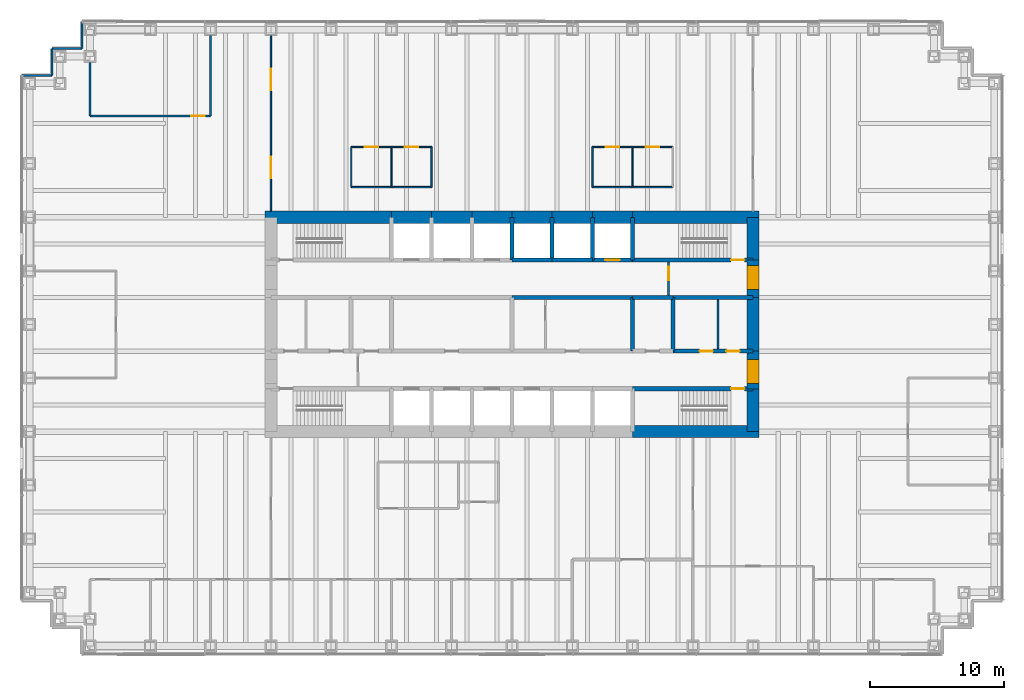
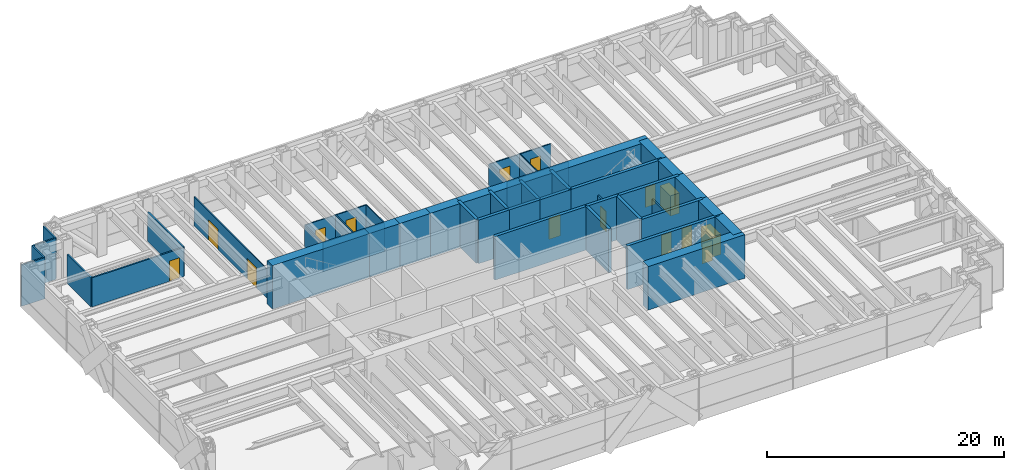
# One storey, part 11 of 13: 48 walls, 15 doors, 15 openings.
"""IFC4 building model written with IfcOpenShell, lengths in metres."""

from ifc_helpers import new_model, si_unit, direction, frame, frame_2d, origin, place, context, subcontext, project, spatial, rectangle, extrude, material, layer, layer_set, type_object, element, fill, save


model = new_model("IFC4")

# Units and contexts
model_context = context("Model", 3, precision=1e-05, world=origin(), true_north=direction((0.0, 1.0)))
body_context = subcontext(model_context, "Body", "Model", "MODEL_VIEW")
ifc_project = project(units=[si_unit("LENGTHUNIT", "METRE"), si_unit("AREAUNIT", "SQUARE_METRE"), si_unit("VOLUMEUNIT", "CUBIC_METRE"), si_unit("PLANEANGLEUNIT", "RADIAN"), si_unit("MASSUNIT", "GRAM", prefix="KILO")], contexts=[model_context])

# Site, building, storey
site_placement = place(None, origin())
site = spatial("IfcSite", under=ifc_project, at=site_placement, CompositionType="ELEMENT")
building_placement = place(site_placement, origin())
building = spatial("IfcBuilding", under=site, at=building_placement, Name="Rheinbord Bourse Tower", CompositionType="ELEMENT")
storey_placement = place(building_placement, frame((0.0, 0.0, 90.5)))
storey = spatial("IfcBuildingStorey", under=building, at=storey_placement, Name="L19", CompositionType="ELEMENT", Elevation=90.5)

# Wall, opening, door
ifc_material_1 = material(Name="Concrete C50/60", Category="concrete")
ifc_layer_1 = layer(ifc_material_1, 0.300048828125)
ifc_layer_set_1 = layer_set([ifc_layer_1], Name="CORE INNER WALL 300")
wall_type_1 = type_object("IfcWallType", Name="CORE INNER WALL 300", PredefinedType="SOLIDWALL", material=ifc_layer_set_1)
wall_1_placement = place(storey_placement, frame((45.0, 19.199951171875, 0.0), z_axis=(0.0, 0.0, 1.0), x_axis=(1.0, 0.0, 0.0)))
wall_1 = element("IfcWall", 1, at=wall_1_placement, inside=storey, type_object=wall_type_1, Name="Core wall A8 L19", PredefinedType="SOLIDWALL", context=body_context, shape_type="SweptSolid", body=[
    extrude(rectangle(XDim=9.0, YDim=0.300048828125, at=frame_2d((4.5, 0.0))), origin(), (0.0, 0.0, 1.0), 4.5),
])
opening_1_placement = place(wall_1_placement, frame((7.35009765625, 0.0, 0.0)))
opening_1 = element("IfcOpeningElement", 2, at=opening_1_placement, cuts=wall_1, Name="Opening 1930", PredefinedType="OPENING", context=body_context, shape_type="SweptSolid", body=[
    extrude(rectangle(XDim=1.0, YDim=2.10009765625, at=frame_2d((0.5, 1.050048828125))), frame((0.0, 0.159912109375, 0.0), z_axis=(0.0, -1.0, 0.0), x_axis=(1.0, 0.0, 0.0)), (0.0, 0.0, 1.0), 0.320068359375),
])
ifc_material_2 = material(Name="Steel door", Category="steel")
door_type_1 = type_object("IfcDoorType", Name="DOOR 1000 EI30", OperationType="SINGLE_SWING_LEFT", PredefinedType="DOOR", material=ifc_material_2)
door_1_placement = place(opening_1_placement, origin())
door_1 = element("IfcDoor", 3, at=door_1_placement, inside=storey, type_object=door_type_1, Name="Stair door ST3 L19", OperationType="SINGLE_SWING_RIGHT", OverallHeight=2.10009765625, OverallWidth=1.0, PredefinedType="DOOR", context=body_context, shape_type="SweptSolid", body=[
    extrude(rectangle(XDim=1.0, YDim=2.10009765625, at=frame_2d((0.5, 1.050048828125))), frame((0.0, 0.02490234375, 0.0), z_axis=(0.0, -1.0, 0.0), x_axis=(1.0, 0.0, 0.0)), (0.0, 0.0, 1.0), 0.050048828125),
])
fill(opening_1, door_1)

# Walls
for number, where, z_axis, x_axis, name in (
    (4, (36.0, 28.800048828125, 0.0), (0.0, 0.0, 1.0), (1.0, 0.0, 0.0), "Core wall B5 L19"),
    (5, (39.0, 28.800048828125, 0.0), (0.0, 0.0, 1.0), (1.0, 0.0, 0.0), "Core wall B6 L19"),
):
    element("IfcWall", number, at=place(storey_placement, frame(where, z_axis=z_axis, x_axis=x_axis)), inside=storey, type_object=wall_type_1, Name=name, PredefinedType="SOLIDWALL", context=body_context, shape_type="SweptSolid", body=[
        extrude(rectangle(XDim=3.0, YDim=0.300048828125, at=frame_2d((1.5, 0.0))), origin(), (0.0, 0.0, 1.0), 4.5),
    ])

# Wall, opening, door
wall_2_placement = place(storey_placement, frame((42.0, 28.800048828125, 0.0), z_axis=(0.0, 0.0, 1.0), x_axis=(1.0, 0.0, 0.0)))
wall_2 = element("IfcWall", 6, at=wall_2_placement, inside=storey, type_object=wall_type_1, Name="Core wall B7 L19", PredefinedType="SOLIDWALL", context=body_context, shape_type="SweptSolid", body=[
    extrude(rectangle(XDim=3.0, YDim=0.300048828125, at=frame_2d((1.5, 0.0))), origin(), (0.0, 0.0, 1.0), 4.5),
])
opening_2_placement = place(wall_2_placement, frame((0.949951171875, 0.0, 0.0)))
opening_2 = element("IfcOpeningElement", 7, at=opening_2_placement, cuts=wall_2, Name="Opening FL2", PredefinedType="OPENING", context=body_context, shape_type="SweptSolid", body=[
    extrude(rectangle(XDim=1.10009765625, YDim=2.199951171875, at=frame_2d((0.550048828125, 1.10009765625))), frame((0.0, 0.159912109375, 0.0), z_axis=(0.0, -1.0, 0.0), x_axis=(1.0, 0.0, 0.0)), (0.0, 0.0, 1.0), 0.320068359375),
])
ifc_material_3 = material(Name="Steel landing door", Category="steel")
door_type_2 = type_object("IfcDoorType", Name="LIFT LANDING DOOR 1100", OperationType="DOUBLE_DOOR_SLIDING", PredefinedType="USERDEFINED", material=ifc_material_3)
door_2_placement = place(opening_2_placement, origin())
door_2 = element("IfcDoor", 8, at=door_2_placement, inside=storey, type_object=door_type_2, Name="Lift landing door FL2 L19", ObjectType="LIFT LANDING DOOR", OperationType="DOUBLE_DOOR_SLIDING", OverallHeight=2.199951171875, OverallWidth=1.10009765625, PredefinedType="USERDEFINED", context=body_context, shape_type="SweptSolid", body=[
    extrude(rectangle(XDim=1.10009765625, YDim=2.199951171875, at=frame_2d((0.550048828125, 1.10009765625))), frame((0.0, 0.02490234375, 0.0), z_axis=(0.0, -1.0, 0.0), x_axis=(1.0, 0.0, 0.0)), (0.0, 0.0, 1.0), 0.050048828125),
])
fill(opening_2, door_2)

wall_3_placement = place(storey_placement, frame((45.0, 28.800048828125, 0.0), z_axis=(0.0, 0.0, 1.0), x_axis=(1.0, 0.0, 0.0)))
wall_3 = element("IfcWall", 9, at=wall_3_placement, inside=storey, type_object=wall_type_1, Name="Core wall B8 L19", PredefinedType="SOLIDWALL", context=body_context, shape_type="SweptSolid", body=[
    extrude(rectangle(XDim=9.0, YDim=0.300048828125, at=frame_2d((4.5, 0.0))), origin(), (0.0, 0.0, 1.0), 4.5),
])
opening_3_placement = place(wall_3_placement, frame((7.35009765625, 0.0, 0.0)))
opening_3 = element("IfcOpeningElement", 10, at=opening_3_placement, cuts=wall_3, Name="Opening 1940", PredefinedType="OPENING", context=body_context, shape_type="SweptSolid", body=[
    extrude(rectangle(XDim=1.0, YDim=2.10009765625, at=frame_2d((0.5, 1.050048828125))), frame((0.0, 0.159912109375, 0.0), z_axis=(0.0, -1.0, 0.0), x_axis=(1.0, 0.0, 0.0)), (0.0, 0.0, 1.0), 0.320068359375),
])
door_3_placement = place(opening_3_placement, origin())
door_3 = element("IfcDoor", 11, at=door_3_placement, inside=storey, type_object=door_type_1, Name="Stair door ST4 L19", OperationType="SINGLE_SWING_RIGHT", OverallHeight=2.10009765625, OverallWidth=1.0, PredefinedType="DOOR", context=body_context, shape_type="SweptSolid", body=[
    extrude(rectangle(XDim=1.0, YDim=2.10009765625, at=frame_2d((0.5, 1.050048828125))), frame((0.0, 0.02490234375, 0.0), z_axis=(0.0, -1.0, 0.0), x_axis=(1.0, 0.0, 0.0)), (0.0, 0.0, 1.0), 0.050048828125),
])
fill(opening_3, door_3)

# Wall, openings, doors
wall_4_placement = place(storey_placement, frame((48.0, 22.0, 0.0), z_axis=(0.0, 0.0, 1.0), x_axis=(1.0, 0.0, 0.0)))
wall_4 = element("IfcWall", 12, at=wall_4_placement, inside=storey, type_object=wall_type_1, Name="Core wall C6 L19", PredefinedType="SOLIDWALL", context=body_context, shape_type="SweptSolid", body=[
    extrude(rectangle(XDim=6.0, YDim=0.300048828125, at=frame_2d((3.0, 0.0))), origin(), (0.0, 0.0, 1.0), 4.5),
])
opening_4_placement = place(wall_4_placement, frame((2.0, 0.0, 0.0)))
opening_4 = element("IfcOpeningElement", 13, at=opening_4_placement, cuts=wall_4, Name="Opening 19R6", PredefinedType="OPENING", context=body_context, shape_type="SweptSolid", body=[
    extrude(rectangle(XDim=1.0, YDim=2.10009765625, at=frame_2d((0.5, 1.050048828125))), frame((0.0, 0.159912109375, 0.0), z_axis=(0.0, -1.0, 0.0), x_axis=(1.0, 0.0, 0.0)), (0.0, 0.0, 1.0), 0.320068359375),
])
opening_5_placement = place(wall_4_placement, frame((4.0, 0.0, 0.0)))
opening_5 = element("IfcOpeningElement", 14, at=opening_5_placement, cuts=wall_4, Name="Opening 19R10", PredefinedType="OPENING", context=body_context, shape_type="SweptSolid", body=[
    extrude(rectangle(XDim=1.0, YDim=2.10009765625, at=frame_2d((0.5, 1.050048828125))), frame((0.0, 0.159912109375, 0.0), z_axis=(0.0, -1.0, 0.0), x_axis=(1.0, 0.0, 0.0)), (0.0, 0.0, 1.0), 0.320068359375),
])
door_4_placement = place(opening_5_placement, origin())
door_4 = element("IfcDoor", 15, at=door_4_placement, inside=storey, type_object=door_type_1, Name="Cleaner's store door L19", OperationType="SINGLE_SWING_RIGHT", OverallHeight=2.10009765625, OverallWidth=1.0, PredefinedType="DOOR", context=body_context, shape_type="SweptSolid", body=[
    extrude(rectangle(XDim=1.0, YDim=2.10009765625, at=frame_2d((0.5, 1.050048828125))), frame((0.0, 0.02490234375, 0.0), z_axis=(0.0, -1.0, 0.0), x_axis=(1.0, 0.0, 0.0)), (0.0, 0.0, 1.0), 0.050048828125),
])
fill(opening_5, door_4)
ifc_material_4 = material(Name="Timber door", Category="wood")
door_type_3 = type_object("IfcDoorType", Name="DOOR 1000 WC", OperationType="SINGLE_SWING_LEFT", PredefinedType="DOOR", material=ifc_material_4)
door_5_placement = place(opening_4_placement, origin())
door_5 = element("IfcDoor", 16, at=door_5_placement, inside=storey, type_object=door_type_3, Name="WC women door L19", OperationType="SINGLE_SWING_LEFT", OverallHeight=2.10009765625, OverallWidth=1.0, PredefinedType="DOOR", context=body_context, shape_type="SweptSolid", body=[
    extrude(rectangle(XDim=1.0, YDim=2.10009765625, at=frame_2d((0.5, 1.050048828125))), frame((0.0, 0.02490234375, 0.0), z_axis=(0.0, -1.0, 0.0), x_axis=(1.0, 0.0, 0.0)), (0.0, 0.0, 1.0), 0.050048828125),
])
fill(opening_4, door_5)

# Walls
wall_5_placement = place(storey_placement, frame((36.0, 26.0, 0.0), z_axis=(0.0, 0.0, 1.0), x_axis=(1.0, 0.0, 0.0)))
element("IfcWall", 17, at=wall_5_placement, inside=storey, type_object=wall_type_1, Name="Core wall D4 L19", PredefinedType="SOLIDWALL", context=body_context, shape_type="SweptSolid", body=[
    extrude(rectangle(XDim=9.0, YDim=0.300048828125, at=frame_2d((4.5, 0.0))), origin(), (0.0, 0.0, 1.0), 4.5),
])
wall_6_placement = place(storey_placement, frame((45.0, 26.0, 0.0), z_axis=(0.0, 0.0, 1.0), x_axis=(1.0, 0.0, 0.0)))
element("IfcWall", 18, at=wall_6_placement, inside=storey, type_object=wall_type_1, Name="Core wall D5 L19", PredefinedType="SOLIDWALL", context=body_context, shape_type="SweptSolid", body=[
    extrude(rectangle(XDim=3.0, YDim=0.300048828125, at=frame_2d((1.5, 0.0))), origin(), (0.0, 0.0, 1.0), 4.5),
])
wall_7_placement = place(storey_placement, frame((48.0, 26.0, 0.0), z_axis=(0.0, 0.0, 1.0), x_axis=(1.0, 0.0, 0.0)))
element("IfcWall", 19, at=wall_7_placement, inside=storey, type_object=wall_type_1, Name="Core wall D6 L19", PredefinedType="SOLIDWALL", context=body_context, shape_type="SweptSolid", body=[
    extrude(rectangle(XDim=6.0, YDim=0.300048828125, at=frame_2d((3.0, 0.0))), origin(), (0.0, 0.0, 1.0), 4.5),
])
for number, where, z_axis, x_axis, name in (
    (20, (36.0, 28.800048828125, 0.0), (0.0, 0.0, 1.0), (0.0, 1.0, 0.0), "Core wall NX36 L19"),
    (21, (39.0, 28.800048828125, 0.0), (0.0, 0.0, 1.0), (0.0, 1.0, 0.0), "Core wall NX39 L19"),
    (22, (42.0, 28.800048828125, 0.0), (0.0, 0.0, 1.0), (0.0, 1.0, 0.0), "Core wall NX42 L19"),
    (23, (45.0, 28.800048828125, 0.0), (0.0, 0.0, 1.0), (0.0, 1.0, 0.0), "Core wall NX45 L19"),
):
    element("IfcWall", number, at=place(storey_placement, frame(where, z_axis=z_axis, x_axis=x_axis)), inside=storey, type_object=wall_type_1, Name=name, PredefinedType="SOLIDWALL", context=body_context, shape_type="SweptSolid", body=[
        extrude(rectangle(XDim=3.199951171875, YDim=0.300048828125, at=frame_2d((1.60009765625, 0.0))), origin(), (0.0, 0.0, 1.0), 4.5),
    ])
for number, where, z_axis, x_axis, name in (
    (24, (45.0, 22.0, 0.0), (0.0, 0.0, 1.0), (0.0, 1.0, 0.0), "Core wall MX45 L19"),
    (25, (48.0, 22.0, 0.0), (0.0, 0.0, 1.0), (0.0, 1.0, 0.0), "Core wall MX48 L19"),
):
    element("IfcWall", number, at=place(storey_placement, frame(where, z_axis=z_axis, x_axis=x_axis)), inside=storey, type_object=wall_type_1, Name=name, PredefinedType="SOLIDWALL", context=body_context, shape_type="SweptSolid", body=[
        extrude(rectangle(XDim=4.0, YDim=0.300048828125, at=frame_2d((2.0, 0.0))), origin(), (0.0, 0.0, 1.0), 4.5),
    ])
ifc_material_5 = material(Name="Gypsum board fire partition", Category="gypsum board")
ifc_layer_2 = layer(ifc_material_5, 0.14990234375)
ifc_layer_set_2 = layer_set([ifc_layer_2], Name="CORE PARTITION 150 EI30")
wall_type_2 = type_object("IfcWallType", Name="CORE PARTITION 150 EI30", PredefinedType="PARTITIONING", material=ifc_layer_set_2)
wall_8_placement = place(storey_placement, frame((51.375, 22.14990234375, 0.0), z_axis=(0.0, 0.0, 1.0), x_axis=(0.0, 1.0, 0.0)))
element("IfcWall", 26, at=wall_8_placement, inside=storey, type_object=wall_type_2, Name="Core partition L19-3", PredefinedType="PARTITIONING", context=body_context, shape_type="SweptSolid", body=[
    extrude(rectangle(XDim=3.7001953125, YDim=0.14990234375, at=frame_2d((1.85009765625, 0.0))), origin(), (0.0, 0.0, 1.0), 3.0),
])

# Wall, opening, door
wall_9_placement = place(storey_placement, frame((47.699951171875, 26.14990234375, 0.0), z_axis=(0.0, 0.0, 1.0), x_axis=(0.0, 1.0, 0.0)))
wall_9 = element("IfcWall", 27, at=wall_9_placement, inside=storey, type_object=wall_type_2, Name="Core partition L19-5", PredefinedType="PARTITIONING", context=body_context, shape_type="SweptSolid", body=[
    extrude(rectangle(XDim=2.5, YDim=0.14990234375, at=frame_2d((1.25, 0.0))), origin(), (0.0, 0.0, 1.0), 3.0),
])
opening_6_placement = place(wall_9_placement, frame((1.14990234375, 0.0, 0.0)))
opening_6 = element("IfcOpeningElement", 28, at=opening_6_placement, cuts=wall_9, Name="Opening 19L6", PredefinedType="OPENING", context=body_context, shape_type="SweptSolid", body=[
    extrude(rectangle(XDim=1.0, YDim=2.10009765625, at=frame_2d((0.5, 1.050048828125))), frame((0.0, 0.0849609375, 0.0), z_axis=(0.0, -1.0, 0.0), x_axis=(1.0, 0.0, 0.0)), (0.0, 0.0, 1.0), 0.169921875),
])
door_6_placement = place(opening_6_placement, origin())
door_6 = element("IfcDoor", 29, at=door_6_placement, inside=storey, type_object=door_type_1, Name="Stair lobby door L19", OperationType="SINGLE_SWING_RIGHT", OverallHeight=2.10009765625, OverallWidth=1.0, PredefinedType="DOOR", context=body_context, shape_type="SweptSolid", body=[
    extrude(rectangle(XDim=1.0, YDim=2.10009765625, at=frame_2d((0.5, 1.050048828125))), frame((0.0, 0.02490234375, 0.0), z_axis=(0.0, -1.0, 0.0), x_axis=(1.0, 0.0, 0.0)), (0.0, 0.0, 1.0), 0.050048828125),
])
fill(opening_6, door_6)

# Walls
ifc_material_6 = material(Name="Concrete C50/60", Category="concrete")
ifc_layer_3 = layer(ifc_material_6, 0.89990234375)
ifc_layer_set_3 = layer_set([ifc_layer_3], Name="CORE WALL 900")
wall_type_3 = type_object("IfcWallType", Name="CORE WALL 900", PredefinedType="SHEAR", material=ifc_layer_set_3)
for number, where, z_axis, x_axis, name in (
    (30, (45.0, 16.0, 0.0), (0.0, 0.0, 1.0), (1.0, 0.0, 0.0), "Core wall S8 L19"),
    (31, (54.449951171875, 32.0, 0.0), (0.0, 0.0, 1.0), (-1.0, 0.0, 0.0), "Core wall N1 L19"),
):
    element("IfcWall", number, at=place(storey_placement, frame(where, z_axis=z_axis, x_axis=x_axis)), inside=storey, type_object=wall_type_3, Name=name, PredefinedType="SHEAR", context=body_context, shape_type="SweptSolid", body=[
        extrude(rectangle(XDim=9.449951171875, YDim=0.89990234375, at=frame_2d((4.72509765625, 0.0))), origin(), (0.0, 0.0, 1.0), 4.5),
    ])
for number, where, z_axis, x_axis, name in (
    (32, (45.0, 32.0, 0.0), (0.0, 0.0, 1.0), (-1.0, 0.0, 0.0), "Core wall N2 L19"),
    (33, (42.0, 32.0, 0.0), (0.0, 0.0, 1.0), (-1.0, 0.0, 0.0), "Core wall N3 L19"),
    (34, (39.0, 32.0, 0.0), (0.0, 0.0, 1.0), (-1.0, 0.0, 0.0), "Core wall N4 L19"),
    (35, (36.0, 32.0, 0.0), (0.0, 0.0, 1.0), (-1.0, 0.0, 0.0), "Core wall N5 L19"),
    (36, (33.0, 32.0, 0.0), (0.0, 0.0, 1.0), (-1.0, 0.0, 0.0), "Core wall N6 L19"),
    (37, (30.0, 32.0, 0.0), (0.0, 0.0, 1.0), (-1.0, 0.0, 0.0), "Core wall N7 L19"),
):
    element("IfcWall", number, at=place(storey_placement, frame(where, z_axis=z_axis, x_axis=x_axis)), inside=storey, type_object=wall_type_3, Name=name, PredefinedType="SHEAR", context=body_context, shape_type="SweptSolid", body=[
        extrude(rectangle(XDim=3.0, YDim=0.89990234375, at=frame_2d((1.5, 0.0))), origin(), (0.0, 0.0, 1.0), 4.5),
    ])
wall_10_placement = place(storey_placement, frame((27.0, 32.0, 0.0), z_axis=(0.0, 0.0, 1.0), x_axis=(-1.0, 0.0, 0.0)))
element("IfcWall", 38, at=wall_10_placement, inside=storey, type_object=wall_type_3, Name="Core wall N8 L19", PredefinedType="SHEAR", context=body_context, shape_type="SweptSolid", body=[
    extrude(rectangle(XDim=9.449951171875, YDim=0.89990234375, at=frame_2d((4.72509765625, 0.0))), origin(), (0.0, 0.0, 1.0), 4.5),
])
wall_11_placement = place(storey_placement, frame((54.0, 16.0, 0.0), z_axis=(0.0, 0.0, 1.0), x_axis=(0.0, 1.0, 0.0)))
element("IfcWall", 39, at=wall_11_placement, inside=storey, type_object=wall_type_3, Name="Core wall E1 L19", PredefinedType="SHEAR", context=body_context, shape_type="SweptSolid", body=[
    extrude(rectangle(XDim=3.199951171875, YDim=0.89990234375, at=frame_2d((1.60009765625, 0.0))), origin(), (0.0, 0.0, 1.0), 4.5),
])

# Wall, opening, door
wall_12_placement = place(storey_placement, frame((54.0, 19.199951171875, 0.0), z_axis=(0.0, 0.0, 1.0), x_axis=(0.0, 1.0, 0.0)))
wall_12 = element("IfcWall", 40, at=wall_12_placement, inside=storey, type_object=wall_type_3, Name="Core wall E2 L19", PredefinedType="SHEAR", context=body_context, shape_type="SweptSolid", body=[
    extrude(rectangle(XDim=2.800048828125, YDim=0.89990234375, at=frame_2d((1.39990234375, 0.0))), origin(), (0.0, 0.0, 1.0), 4.5),
])
opening_7_placement = place(wall_12_placement, frame((0.39990234375, 0.0, 0.0)))
opening_7 = element("IfcOpeningElement", 41, at=opening_7_placement, cuts=wall_12, Name="Opening 19L3", PredefinedType="OPENING", context=body_context, shape_type="SweptSolid", body=[
    extrude(rectangle(XDim=1.800048828125, YDim=2.10009765625, at=frame_2d((0.89990234375, 1.050048828125))), frame((0.0, 0.4599609375, 0.0), z_axis=(0.0, -1.0, 0.0), x_axis=(1.0, 0.0, 0.0)), (0.0, 0.0, 1.0), 0.919921875),
])
ifc_material_7 = material(Name="Steel door", Category="steel")
door_type_4 = type_object("IfcDoorType", Name="DOOR 1800 EI30 DOUBLE", OperationType="DOUBLE_DOOR_DOUBLE_SWING", PredefinedType="DOOR", material=ifc_material_7)
door_7_placement = place(opening_7_placement, origin())
door_7 = element("IfcDoor", 42, at=door_7_placement, inside=storey, type_object=door_type_4, Name="Lobby door 3 L19", OperationType="SINGLE_SWING_LEFT", OverallHeight=2.10009765625, OverallWidth=1.800048828125, PredefinedType="DOOR", context=body_context, shape_type="SweptSolid", body=[
    extrude(rectangle(XDim=1.800048828125, YDim=2.10009765625, at=frame_2d((0.89990234375, 1.050048828125))), frame((0.0, 0.44970703125, 0.0), z_axis=(0.0, -1.0, 0.0), x_axis=(1.0, 0.0, 0.0)), (0.0, 0.0, 1.0), 0.8994140625),
])
fill(opening_7, door_7)

# Wall
wall_13_placement = place(storey_placement, frame((54.0, 22.0, 0.0), z_axis=(0.0, 0.0, 1.0), x_axis=(0.0, 1.0, 0.0)))
element("IfcWall", 43, at=wall_13_placement, inside=storey, type_object=wall_type_3, Name="Core wall E3 L19", PredefinedType="SHEAR", context=body_context, shape_type="SweptSolid", body=[
    extrude(rectangle(XDim=4.0, YDim=0.89990234375, at=frame_2d((2.0, 0.0))), origin(), (0.0, 0.0, 1.0), 4.5),
])

# Wall, opening, door
wall_14_placement = place(storey_placement, frame((54.0, 26.0, 0.0), z_axis=(0.0, 0.0, 1.0), x_axis=(0.0, 1.0, 0.0)))
wall_14 = element("IfcWall", 44, at=wall_14_placement, inside=storey, type_object=wall_type_3, Name="Core wall E4 L19", PredefinedType="SHEAR", context=body_context, shape_type="SweptSolid", body=[
    extrude(rectangle(XDim=2.800048828125, YDim=0.89990234375, at=frame_2d((1.39990234375, 0.0))), origin(), (0.0, 0.0, 1.0), 4.5),
])
opening_8_placement = place(wall_14_placement, frame((0.60009765625, 0.0, 0.0)))
opening_8 = element("IfcOpeningElement", 45, at=opening_8_placement, cuts=wall_14, Name="Opening 19L4", PredefinedType="OPENING", context=body_context, shape_type="SweptSolid", body=[
    extrude(rectangle(XDim=1.800048828125, YDim=2.10009765625, at=frame_2d((0.89990234375, 1.050048828125))), frame((0.0, 0.4599609375, 0.0), z_axis=(0.0, -1.0, 0.0), x_axis=(1.0, 0.0, 0.0)), (0.0, 0.0, 1.0), 0.919921875),
])
door_8_placement = place(opening_8_placement, origin())
door_8 = element("IfcDoor", 46, at=door_8_placement, inside=storey, type_object=door_type_4, Name="Lobby door 4 L19", OperationType="SINGLE_SWING_LEFT", OverallHeight=2.10009765625, OverallWidth=1.800048828125, PredefinedType="DOOR", context=body_context, shape_type="SweptSolid", body=[
    extrude(rectangle(XDim=1.800048828125, YDim=2.10009765625, at=frame_2d((0.89990234375, 1.050048828125))), frame((0.0, 0.44970703125, 0.0), z_axis=(0.0, -1.0, 0.0), x_axis=(1.0, 0.0, 0.0)), (0.0, 0.0, 1.0), 0.8994140625),
])
fill(opening_8, door_8)

# Walls
wall_15_placement = place(storey_placement, frame((54.0, 28.800048828125, 0.0), z_axis=(0.0, 0.0, 1.0), x_axis=(0.0, 1.0, 0.0)))
element("IfcWall", 47, at=wall_15_placement, inside=storey, type_object=wall_type_3, Name="Core wall E5 L19", PredefinedType="SHEAR", context=body_context, shape_type="SweptSolid", body=[
    extrude(rectangle(XDim=3.199951171875, YDim=0.89990234375, at=frame_2d((1.60009765625, 0.0))), origin(), (0.0, 0.0, 1.0), 4.5),
])
ifc_material_8 = material(Name="Black metal rainscreen panel", Category="aluminium")
ifc_layer_4 = layer(ifc_material_8, 0.14990234375)
ifc_layer_set_4 = layer_set([ifc_layer_4], Name="CORNER PIER CLADDING 150")
wall_type_4 = type_object("IfcWallType", Name="CORNER PIER CLADDING 150", PredefinedType="ELEMENTEDWALL", material=ifc_layer_set_4)
wall_16_placement = place(storey_placement, frame((3.89990234375, 46.60009765625, 0.0), z_axis=(0.0, 0.0, 1.0), x_axis=(0.0, -1.0, 0.0)))
element("IfcWall", 48, at=wall_16_placement, inside=storey, type_object=wall_type_4, Name="Corner pier cladding L19 12", PredefinedType="ELEMENTEDWALL", context=body_context, shape_type="SweptSolid", body=[
    extrude(rectangle(XDim=2.0, YDim=0.14990234375, at=frame_2d((1.0, 0.0))), origin(), (0.0, 0.0, 1.0), 4.25),
])
wall_17_placement = place(storey_placement, frame((3.89990234375, 44.60009765625, 0.0), z_axis=(0.0, 0.0, 1.0), x_axis=(-1.0, 0.0, 0.0)))
element("IfcWall", 49, at=wall_17_placement, inside=storey, type_object=wall_type_4, Name="Corner pier cladding L19 13", PredefinedType="ELEMENTEDWALL", context=body_context, shape_type="SweptSolid", body=[
    extrude(rectangle(XDim=2.25, YDim=0.14990234375, at=frame_2d((1.125, 0.0))), origin(), (0.0, 0.0, 1.0), 4.25),
])
wall_18_placement = place(storey_placement, frame((1.64990234375, 44.60009765625, 0.0), z_axis=(0.0, 0.0, 1.0), x_axis=(0.0, -1.0, 0.0)))
element("IfcWall", 50, at=wall_18_placement, inside=storey, type_object=wall_type_4, Name="Corner pier cladding L19 14", PredefinedType="ELEMENTEDWALL", context=body_context, shape_type="SweptSolid", body=[
    extrude(rectangle(XDim=2.0, YDim=0.14990234375, at=frame_2d((1.0, 0.0))), origin(), (0.0, 0.0, 1.0), 4.25),
])
wall_19_placement = place(storey_placement, frame((1.64990234375, 42.60009765625, 0.0), z_axis=(0.0, 0.0, 1.0), x_axis=(-1.0, 0.0, 0.0)))
element("IfcWall", 51, at=wall_19_placement, inside=storey, type_object=wall_type_4, Name="Corner pier cladding L19 15", PredefinedType="ELEMENTEDWALL", context=body_context, shape_type="SweptSolid", body=[
    extrude(rectangle(XDim=2.25, YDim=0.14990234375, at=frame_2d((1.125, 0.0))), origin(), (0.0, 0.0, 1.0), 4.25),
])
ifc_material_9 = material(Name="Toughened laminated glass partition", Category="glass")
ifc_layer_5 = layer(ifc_material_9, 0.10009765625)
ifc_layer_set_5 = layer_set([ifc_layer_5], Name="GLAZED PARTITION 100")
wall_type_5 = type_object("IfcWallType", Name="GLAZED PARTITION 100", PredefinedType="PARTITIONING", material=ifc_layer_set_5)
for number, where, z_axis, x_axis, name in (
    (52, (24.0, 34.25, 0.0), (0.0, 0.0, 1.0), (1.0, 0.0, 0.0), "Partition L19-13"),
    (53, (42.0, 34.25, 0.0), (0.0, 0.0, 1.0), (1.0, 0.0, 0.0), "Partition L19-14"),
):
    element("IfcWall", number, at=place(storey_placement, frame(where, z_axis=z_axis, x_axis=x_axis)), inside=storey, type_object=wall_type_5, Name=name, PredefinedType="PARTITIONING", context=body_context, shape_type="SweptSolid", body=[
        extrude(rectangle(XDim=6.0, YDim=0.10009765625, at=frame_2d((3.0, 0.0))), origin(), (0.0, 0.0, 1.0), 3.0),
    ])

# Wall, openings, doors
wall_20_placement = place(storey_placement, frame((24.0, 37.25, 0.0), z_axis=(0.0, 0.0, 1.0), x_axis=(1.0, 0.0, 0.0)))
wall_20 = element("IfcWall", 54, at=wall_20_placement, inside=storey, type_object=wall_type_5, Name="Partition L19-15", PredefinedType="PARTITIONING", context=body_context, shape_type="SweptSolid", body=[
    extrude(rectangle(XDim=6.0, YDim=0.10009765625, at=frame_2d((3.0, 0.0))), origin(), (0.0, 0.0, 1.0), 3.0),
])
opening_9_placement = place(wall_20_placement, frame((1.0, 0.0, 0.0)))
opening_9 = element("IfcOpeningElement", 55, at=opening_9_placement, cuts=wall_20, Name="Opening 19D17", PredefinedType="OPENING", context=body_context, shape_type="SweptSolid", body=[
    extrude(rectangle(XDim=1.0, YDim=2.10009765625, at=frame_2d((0.5, 1.050048828125))), frame((0.0, 0.06005859375, 0.0), z_axis=(0.0, -1.0, 0.0), x_axis=(1.0, 0.0, 0.0)), (0.0, 0.0, 1.0), 0.1201171875),
])
opening_10_placement = place(wall_20_placement, frame((4.0, 0.0, 0.0)))
opening_10 = element("IfcOpeningElement", 56, at=opening_10_placement, cuts=wall_20, Name="Opening 19D18", PredefinedType="OPENING", context=body_context, shape_type="SweptSolid", body=[
    extrude(rectangle(XDim=1.0, YDim=2.10009765625, at=frame_2d((0.5, 1.050048828125))), frame((0.0, 0.06005859375, 0.0), z_axis=(0.0, -1.0, 0.0), x_axis=(1.0, 0.0, 0.0)), (0.0, 0.0, 1.0), 0.1201171875),
])
ifc_material_10 = material(Name="Timber door", Category="wood")
door_type_5 = type_object("IfcDoorType", Name="ROOM DOOR 1000", OperationType="SINGLE_SWING_LEFT", PredefinedType="DOOR", material=ifc_material_10)
door_9_placement = place(opening_9_placement, origin())
door_9 = element("IfcDoor", 57, at=door_9_placement, inside=storey, type_object=door_type_5, Name="Quiet room door L19", OperationType="SINGLE_SWING_LEFT", OverallHeight=2.10009765625, OverallWidth=1.0, PredefinedType="DOOR", context=body_context, shape_type="SweptSolid", body=[
    extrude(rectangle(XDim=1.0, YDim=2.10009765625, at=frame_2d((0.5, 1.050048828125))), frame((0.0, 0.02490234375, 0.0), z_axis=(0.0, -1.0, 0.0), x_axis=(1.0, 0.0, 0.0)), (0.0, 0.0, 1.0), 0.050048828125),
])
fill(opening_9, door_9)
door_10_placement = place(opening_10_placement, origin())
door_10 = element("IfcDoor", 58, at=door_10_placement, inside=storey, type_object=door_type_5, Name="Quiet room door L19", OperationType="SINGLE_SWING_RIGHT", OverallHeight=2.10009765625, OverallWidth=1.0, PredefinedType="DOOR", context=body_context, shape_type="SweptSolid", body=[
    extrude(rectangle(XDim=1.0, YDim=2.10009765625, at=frame_2d((0.5, 1.050048828125))), frame((0.0, 0.02490234375, 0.0), z_axis=(0.0, -1.0, 0.0), x_axis=(1.0, 0.0, 0.0)), (0.0, 0.0, 1.0), 0.050048828125),
])
fill(opening_10, door_10)

wall_21_placement = place(storey_placement, frame((42.0, 37.25, 0.0), z_axis=(0.0, 0.0, 1.0), x_axis=(1.0, 0.0, 0.0)))
wall_21 = element("IfcWall", 59, at=wall_21_placement, inside=storey, type_object=wall_type_5, Name="Partition L19-16", PredefinedType="PARTITIONING", context=body_context, shape_type="SweptSolid", body=[
    extrude(rectangle(XDim=6.0, YDim=0.10009765625, at=frame_2d((3.0, 0.0))), origin(), (0.0, 0.0, 1.0), 3.0),
])
opening_11_placement = place(wall_21_placement, frame((1.0, 0.0, 0.0)))
opening_11 = element("IfcOpeningElement", 60, at=opening_11_placement, cuts=wall_21, Name="Opening 19D19", PredefinedType="OPENING", context=body_context, shape_type="SweptSolid", body=[
    extrude(rectangle(XDim=1.0, YDim=2.10009765625, at=frame_2d((0.5, 1.050048828125))), frame((0.0, 0.06005859375, 0.0), z_axis=(0.0, -1.0, 0.0), x_axis=(1.0, 0.0, 0.0)), (0.0, 0.0, 1.0), 0.1201171875),
])
opening_12_placement = place(wall_21_placement, frame((4.0, 0.0, 0.0)))
opening_12 = element("IfcOpeningElement", 61, at=opening_12_placement, cuts=wall_21, Name="Opening 19D20", PredefinedType="OPENING", context=body_context, shape_type="SweptSolid", body=[
    extrude(rectangle(XDim=1.0, YDim=2.10009765625, at=frame_2d((0.5, 1.050048828125))), frame((0.0, 0.06005859375, 0.0), z_axis=(0.0, -1.0, 0.0), x_axis=(1.0, 0.0, 0.0)), (0.0, 0.0, 1.0), 0.1201171875),
])
door_11_placement = place(opening_11_placement, origin())
door_11 = element("IfcDoor", 62, at=door_11_placement, inside=storey, type_object=door_type_5, Name="Quiet room door L19", OperationType="SINGLE_SWING_LEFT", OverallHeight=2.10009765625, OverallWidth=1.0, PredefinedType="DOOR", context=body_context, shape_type="SweptSolid", body=[
    extrude(rectangle(XDim=1.0, YDim=2.10009765625, at=frame_2d((0.5, 1.050048828125))), frame((0.0, 0.02490234375, 0.0), z_axis=(0.0, -1.0, 0.0), x_axis=(1.0, 0.0, 0.0)), (0.0, 0.0, 1.0), 0.050048828125),
])
fill(opening_11, door_11)
door_12_placement = place(opening_12_placement, origin())
door_12 = element("IfcDoor", 63, at=door_12_placement, inside=storey, type_object=door_type_5, Name="Quiet room door L19", OperationType="SINGLE_SWING_RIGHT", OverallHeight=2.10009765625, OverallWidth=1.0, PredefinedType="DOOR", context=body_context, shape_type="SweptSolid", body=[
    extrude(rectangle(XDim=1.0, YDim=2.10009765625, at=frame_2d((0.5, 1.050048828125))), frame((0.0, 0.02490234375, 0.0), z_axis=(0.0, -1.0, 0.0), x_axis=(1.0, 0.0, 0.0)), (0.0, 0.0, 1.0), 0.050048828125),
])
fill(opening_12, door_12)

wall_22_placement = place(storey_placement, frame((18.0, 32.449951171875, 0.0), z_axis=(0.0, 0.0, 1.0), x_axis=(0.0, 1.0, 0.0)))
wall_22 = element("IfcWall", 64, at=wall_22_placement, inside=storey, type_object=wall_type_5, Name="Partition L19-26", PredefinedType="PARTITIONING", context=body_context, shape_type="SweptSolid", body=[
    extrude(rectangle(XDim=13.10009765625, YDim=0.10009765625, at=frame_2d((6.550048828125, 0.0))), origin(), (0.0, 0.0, 1.0), 3.0),
])
opening_13_placement = place(wall_22_placement, frame((2.47509765625, 0.0, 0.0)))
opening_13 = element("IfcOpeningElement", 65, at=opening_13_placement, cuts=wall_22, Name="Opening 19D23", PredefinedType="OPENING", context=body_context, shape_type="SweptSolid", body=[
    extrude(rectangle(XDim=1.60009765625, YDim=2.10009765625, at=frame_2d((0.800048828125, 1.050048828125))), frame((0.0, 0.06005859375, 0.0), z_axis=(0.0, -1.0, 0.0), x_axis=(1.0, 0.0, 0.0)), (0.0, 0.0, 1.0), 0.1201171875),
])
opening_14_placement = place(wall_22_placement, frame((9.02490234375, 0.0, 0.0)))
opening_14 = element("IfcOpeningElement", 66, at=opening_14_placement, cuts=wall_22, Name="Opening 19D24", PredefinedType="OPENING", context=body_context, shape_type="SweptSolid", body=[
    extrude(rectangle(XDim=1.60009765625, YDim=2.10009765625, at=frame_2d((0.800048828125, 1.050048828125))), frame((0.0, 0.06005859375, 0.0), z_axis=(0.0, -1.0, 0.0), x_axis=(1.0, 0.0, 0.0)), (0.0, 0.0, 1.0), 0.1201171875),
])
ifc_material_11 = material(Name="Timber door", Category="wood")
door_type_6 = type_object("IfcDoorType", Name="DOUBLE ROOM DOOR 1600", OperationType="DOUBLE_DOOR_DOUBLE_SWING", PredefinedType="DOOR", material=ifc_material_11)
door_13_placement = place(opening_13_placement, origin())
door_13 = element("IfcDoor", 67, at=door_13_placement, inside=storey, type_object=door_type_6, Name="Open area door L19", OperationType="SINGLE_SWING_LEFT", OverallHeight=2.10009765625, OverallWidth=1.60009765625, PredefinedType="DOOR", context=body_context, shape_type="SweptSolid", body=[
    extrude(rectangle(XDim=1.60009765625, YDim=2.10009765625, at=frame_2d((0.800048828125, 1.050048828125))), frame((0.0, 0.02490234375, 0.0), z_axis=(0.0, -1.0, 0.0), x_axis=(1.0, 0.0, 0.0)), (0.0, 0.0, 1.0), 0.050048828125),
])
fill(opening_13, door_13)
door_14_placement = place(opening_14_placement, origin())
door_14 = element("IfcDoor", 68, at=door_14_placement, inside=storey, type_object=door_type_6, Name="Open area door L19", OperationType="SINGLE_SWING_LEFT", OverallHeight=2.10009765625, OverallWidth=1.60009765625, PredefinedType="DOOR", context=body_context, shape_type="SweptSolid", body=[
    extrude(rectangle(XDim=1.60009765625, YDim=2.10009765625, at=frame_2d((0.800048828125, 1.050048828125))), frame((0.0, 0.02490234375, 0.0), z_axis=(0.0, -1.0, 0.0), x_axis=(1.0, 0.0, 0.0)), (0.0, 0.0, 1.0), 0.050048828125),
])
fill(opening_14, door_14)

# Walls
for number, where, z_axis, x_axis, name in (
    (69, (24.0, 34.25, 0.0), (0.0, 0.0, 1.0), (0.0, 1.0, 0.0), "Partition L19-28"),
    (70, (27.0, 34.25, 0.0), (0.0, 0.0, 1.0), (0.0, 1.0, 0.0), "Partition L19-31"),
    (71, (30.0, 34.25, 0.0), (0.0, 0.0, 1.0), (0.0, 1.0, 0.0), "Partition L19-32"),
    (72, (42.0, 34.25, 0.0), (0.0, 0.0, 1.0), (0.0, 1.0, 0.0), "Partition L19-38"),
    (73, (45.0, 34.25, 0.0), (0.0, 0.0, 1.0), (0.0, 1.0, 0.0), "Partition L19-39"),
):
    element("IfcWall", number, at=place(storey_placement, frame(where, z_axis=z_axis, x_axis=x_axis)), inside=storey, type_object=wall_type_5, Name=name, PredefinedType="PARTITIONING", context=body_context, shape_type="SweptSolid", body=[
        extrude(rectangle(XDim=3.0, YDim=0.10009765625, at=frame_2d((1.5, 0.0))), origin(), (0.0, 0.0, 1.0), 3.0),
    ])

# Wall, opening, door
ifc_material_12 = material(Name="Gypsum board partition", Category="gypsum board")
ifc_layer_6 = layer(ifc_material_12, 0.14990234375)
ifc_layer_set_6 = layer_set([ifc_layer_6], Name="PARTITION 150")
wall_type_6 = type_object("IfcWallType", Name="PARTITION 150", PredefinedType="PARTITIONING", material=ifc_layer_set_6)
wall_23_placement = place(storey_placement, frame((4.5, 39.550048828125, 0.0), z_axis=(0.0, 0.0, 1.0), x_axis=(1.0, 0.0, 0.0)))
wall_23 = element("IfcWall", 74, at=wall_23_placement, inside=storey, type_object=wall_type_6, Name="Partition L19-17", PredefinedType="PARTITIONING", context=body_context, shape_type="SweptSolid", body=[
    extrude(rectangle(XDim=9.0, YDim=0.14990234375, at=frame_2d((4.5, 0.0))), origin(), (0.0, 0.0, 1.0), 3.0),
])
opening_15_placement = place(wall_23_placement, frame((7.550048828125, 0.0, 0.0)))
opening_15 = element("IfcOpeningElement", 75, at=opening_15_placement, cuts=wall_23, Name="Opening 19D21", PredefinedType="OPENING", context=body_context, shape_type="SweptSolid", body=[
    extrude(rectangle(XDim=1.0, YDim=2.10009765625, at=frame_2d((0.5, 1.050048828125))), frame((0.0, 0.0849609375, 0.0), z_axis=(0.0, -1.0, 0.0), x_axis=(1.0, 0.0, 0.0)), (0.0, 0.0, 1.0), 0.169921875),
])
door_15_placement = place(opening_15_placement, origin())
door_15 = element("IfcDoor", 76, at=door_15_placement, inside=storey, type_object=door_type_5, Name="Research library door L19", OperationType="SINGLE_SWING_RIGHT", OverallHeight=2.10009765625, OverallWidth=1.0, PredefinedType="DOOR", context=body_context, shape_type="SweptSolid", body=[
    extrude(rectangle(XDim=1.0, YDim=2.10009765625, at=frame_2d((0.5, 1.050048828125))), frame((0.0, 0.02490234375, 0.0), z_axis=(0.0, -1.0, 0.0), x_axis=(1.0, 0.0, 0.0)), (0.0, 0.0, 1.0), 0.050048828125),
])
fill(opening_15, door_15)

# Walls
wall_24_placement = place(storey_placement, frame((4.5, 39.550048828125, 0.0), z_axis=(0.0, 0.0, 1.0), x_axis=(0.0, 1.0, 0.0)))
element("IfcWall", 77, at=wall_24_placement, inside=storey, type_object=wall_type_6, Name="Partition L19-19", PredefinedType="PARTITIONING", context=body_context, shape_type="SweptSolid", body=[
    extrude(rectangle(XDim=4.0, YDim=0.14990234375, at=frame_2d((2.0, 0.0))), origin(), (0.0, 0.0, 1.0), 3.0),
])
wall_25_placement = place(storey_placement, frame((13.5, 39.550048828125, 0.0), z_axis=(0.0, 0.0, 1.0), x_axis=(0.0, 1.0, 0.0)))
element("IfcWall", 78, at=wall_25_placement, inside=storey, type_object=wall_type_6, Name="Partition L19-23", PredefinedType="PARTITIONING", context=body_context, shape_type="SweptSolid", body=[
    extrude(rectangle(XDim=6.0, YDim=0.14990234375, at=frame_2d((3.0, 0.0))), origin(), (0.0, 0.0, 1.0), 3.0),
])

save(model, "model.ifc")
